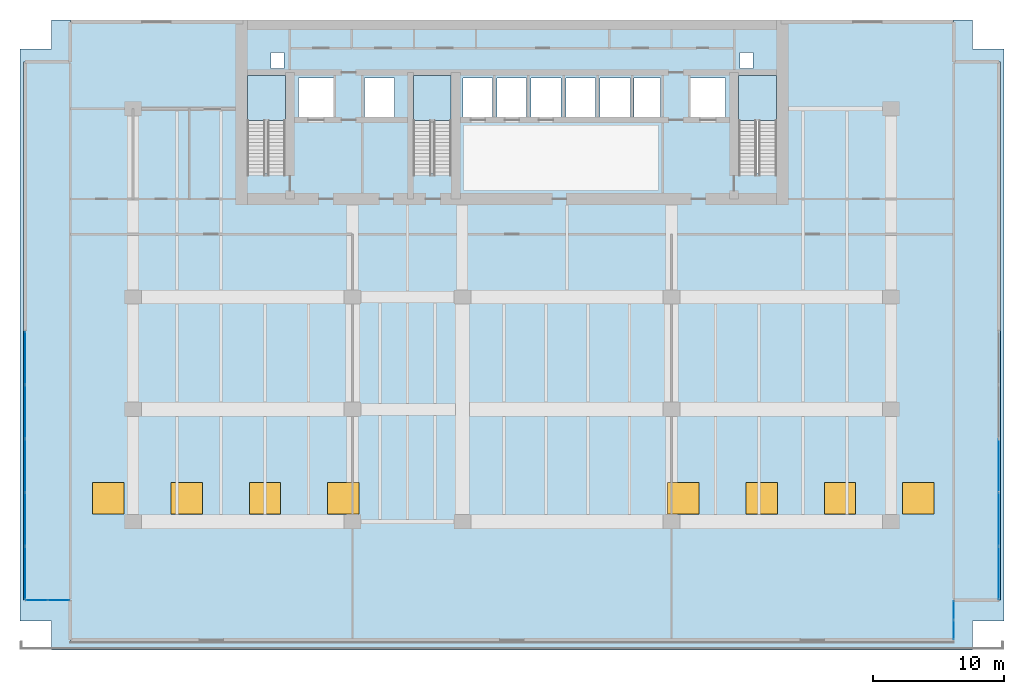
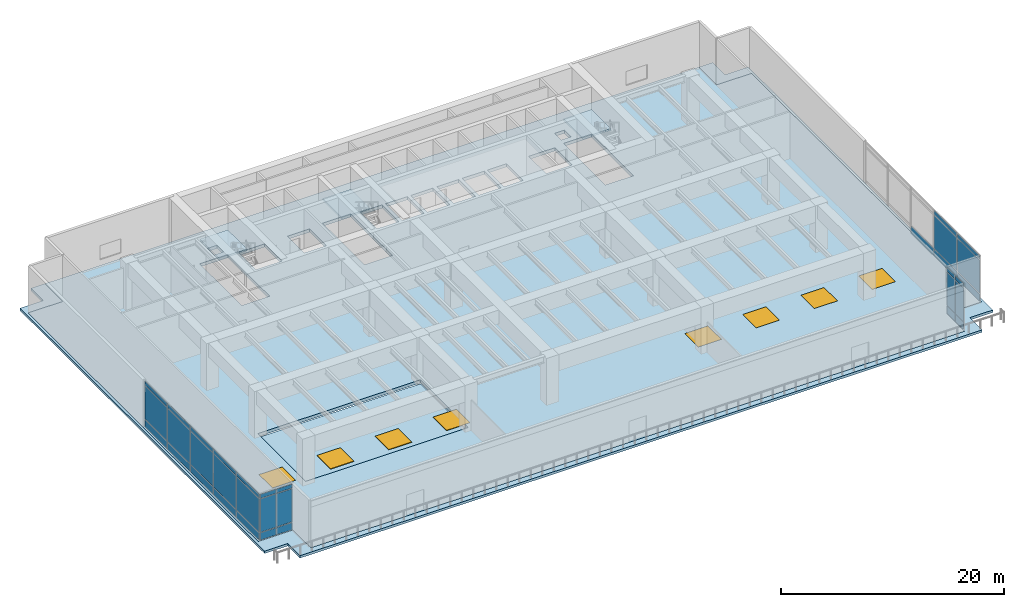
# One storey, part 5 of 12: 34 plates, 8 windows, 6 slabs, 8 openings, 7 elements without a shape of their own.
"""IFC4 building model written with IfcOpenShell, lengths in metres."""

from ifc_helpers import new_model, si_unit, direction, frame, origin, origin_2d, place, context, subcontext, project, spatial, polyline, rectangle, outline, extrude, material, layer, layer_set, type_object, element, fill, aggregate, save


model = new_model("IFC4")

# Units and contexts
model_context = context("Model", 3, precision=1e-05, world=origin(), true_north=direction((0.0, 1.0)))
body_context = subcontext(model_context, "Body", "Model", "MODEL_VIEW")
ifc_project = project(units=[si_unit("LENGTHUNIT", "METRE"), si_unit("AREAUNIT", "SQUARE_METRE"), si_unit("VOLUMEUNIT", "CUBIC_METRE"), si_unit("PLANEANGLEUNIT", "RADIAN"), si_unit("MASSUNIT", "GRAM", prefix="KILO")], contexts=[model_context])

# Site, building, storey
site_placement = place(None, origin())
site = spatial("IfcSite", under=ifc_project, at=site_placement, CompositionType="ELEMENT")
building_placement = place(site_placement, origin())
building = spatial("IfcBuilding", under=site, at=building_placement, Name="Caelmar Bay Residences", CompositionType="ELEMENT")
storey_placement = place(building_placement, frame((0.0, 0.0, 24.60009765625)))
storey = spatial("IfcBuildingStorey", under=building, at=storey_placement, Name="L05", CompositionType="ELEMENT", Elevation=24.60009765625)

# Curtain wall, plates
ifc_material_1 = material(Name="Anodised bronze aluminium 6063-T6 and laminated glass", Category="aluminium")
ifc_layer_1 = layer(ifc_material_1, 0.179931640625)
ifc_layer_set_1 = layer_set([ifc_layer_1], Name="Anodised bronze aluminium 6063-T6 and laminated glass")
curtain_wall_type_1 = type_object("IfcCurtainWallType", Name="CW6-NTC", PredefinedType="NOTDEFINED", material=ifc_layer_set_1)
curtain_wall_1_placement = place(storey_placement, origin())
curtain_wall_1 = element("IfcCurtainWall", 1, at=curtain_wall_1_placement, inside=storey, type_object=curtain_wall_type_1, Name="CW6 curtain wall L05", PredefinedType="NOTDEFINED")
ifc_material_2 = material(Name="Bronze-tinted laminated low-E hurricane glass 28 mm", Category="glass")
ifc_layer_2 = layer(ifc_material_2, 0.028076171875)
ifc_layer_set_2 = layer_set([ifc_layer_2], Name="Bronze-tinted laminated low-E hurricane glass 28 mm")
plate_type_1 = type_object("IfcPlateType", Name="CWP-GLZ28", PredefinedType="CURTAIN_PANEL", material=ifc_layer_set_2)
plate_1_placement = place(storey_placement, frame((2.532470703125, 6.199951171875, 0.080078125), z_axis=(0.0, 0.0, 1.0), x_axis=(1.0, 0.0, 0.0)))
plate_1 = element("IfcPlate", 2, at=plate_1_placement, type_object=plate_type_1, Name="CW6 panel 1.1", PredefinedType="CURTAIN_PANEL", context=body_context, shape_type="SweptSolid", body=[
    extrude(rectangle(XDim=1.60498046875, YDim=0.028076171875, at=origin_2d()), origin(), (0.0, 0.0, 1.0), 0.780029296875),
])
plate_2_placement = place(storey_placement, frame((2.532470703125, 6.199951171875, 0.93994140625), z_axis=(0.0, 0.0, 1.0), x_axis=(1.0, 0.0, 0.0)))
plate_2 = element("IfcPlate", 3, at=plate_2_placement, type_object=plate_type_1, Name="CW6 panel 1.2", PredefinedType="CURTAIN_PANEL", context=body_context, shape_type="SweptSolid", body=[
    extrude(rectangle(XDim=1.60498046875, YDim=0.028076171875, at=origin_2d()), origin(), (0.0, 0.0, 1.0), 3.6201171875),
])
plate_3_placement = place(storey_placement, frame((2.532470703125, 6.199951171875, 4.64013671875), z_axis=(0.0, 0.0, 1.0), x_axis=(1.0, 0.0, 0.0)))
plate_3 = element("IfcPlate", 4, at=plate_3_placement, type_object=plate_type_1, Name="CW6 panel 1.3", PredefinedType="CURTAIN_PANEL", context=body_context, shape_type="SweptSolid", body=[
    extrude(rectangle(XDim=1.60498046875, YDim=0.028076171875, at=origin_2d()), origin(), (0.0, 0.0, 1.0), 0.429931640625),
])
plate_4_placement = place(storey_placement, frame((4.217529296875, 6.199951171875, 0.080078125), z_axis=(0.0, 0.0, 1.0), x_axis=(1.0, 0.0, 0.0)))
plate_4 = element("IfcPlate", 5, at=plate_4_placement, type_object=plate_type_1, Name="CW6 panel 2.1", PredefinedType="CURTAIN_PANEL", context=body_context, shape_type="SweptSolid", body=[
    extrude(rectangle(XDim=1.60498046875, YDim=0.028076171875, at=origin_2d()), origin(), (0.0, 0.0, 1.0), 0.780029296875),
])
plate_5_placement = place(storey_placement, frame((4.217529296875, 6.199951171875, 0.93994140625), z_axis=(0.0, 0.0, 1.0), x_axis=(1.0, 0.0, 0.0)))
plate_5 = element("IfcPlate", 6, at=plate_5_placement, type_object=plate_type_1, Name="CW6 panel 2.2", PredefinedType="CURTAIN_PANEL", context=body_context, shape_type="SweptSolid", body=[
    extrude(rectangle(XDim=1.60498046875, YDim=0.028076171875, at=origin_2d()), origin(), (0.0, 0.0, 1.0), 3.6201171875),
])
plate_6_placement = place(storey_placement, frame((4.217529296875, 6.199951171875, 4.64013671875), z_axis=(0.0, 0.0, 1.0), x_axis=(1.0, 0.0, 0.0)))
plate_6 = element("IfcPlate", 7, at=plate_6_placement, type_object=plate_type_1, Name="CW6 panel 2.3", PredefinedType="CURTAIN_PANEL", context=body_context, shape_type="SweptSolid", body=[
    extrude(rectangle(XDim=1.60498046875, YDim=0.028076171875, at=origin_2d()), origin(), (0.0, 0.0, 1.0), 0.429931640625),
])
aggregate(curtain_wall_1, [plate_1, plate_2, plate_3, plate_4, plate_5, plate_6])

curtain_wall_2_placement = place(storey_placement, origin())
curtain_wall_2 = element("IfcCurtainWall", 8, at=curtain_wall_2_placement, inside=storey, type_object=curtain_wall_type_1, Name="CW6 curtain wall L05", PredefinedType="NOTDEFINED")
plate_7_placement = place(storey_placement, frame((72.699951171875, 3.9326171875, 0.080078125), z_axis=(0.0, 0.0, 1.0), x_axis=(0.0, 1.0, 0.0)))
plate_7 = element("IfcPlate", 9, at=plate_7_placement, type_object=plate_type_1, Name="CW6 panel 1.1", PredefinedType="CURTAIN_PANEL", context=body_context, shape_type="SweptSolid", body=[
    extrude(rectangle(XDim=1.405029296875, YDim=0.028076171875, at=origin_2d()), origin(), (0.0, 0.0, 1.0), 0.780029296875),
])
plate_8_placement = place(storey_placement, frame((72.699951171875, 3.9326171875, 0.93994140625), z_axis=(0.0, 0.0, 1.0), x_axis=(0.0, 1.0, 0.0)))
plate_8 = element("IfcPlate", 10, at=plate_8_placement, type_object=plate_type_1, Name="CW6 panel 1.2", PredefinedType="CURTAIN_PANEL", context=body_context, shape_type="SweptSolid", body=[
    extrude(rectangle(XDim=1.405029296875, YDim=0.028076171875, at=origin_2d()), origin(), (0.0, 0.0, 1.0), 3.6201171875),
])
plate_9_placement = place(storey_placement, frame((72.699951171875, 3.9326171875, 4.64013671875), z_axis=(0.0, 0.0, 1.0), x_axis=(0.0, 1.0, 0.0)))
plate_9 = element("IfcPlate", 11, at=plate_9_placement, type_object=plate_type_1, Name="CW6 panel 1.3", PredefinedType="CURTAIN_PANEL", context=body_context, shape_type="SweptSolid", body=[
    extrude(rectangle(XDim=1.405029296875, YDim=0.028076171875, at=origin_2d()), origin(), (0.0, 0.0, 1.0), 0.429931640625),
])
plate_10_placement = place(storey_placement, frame((72.699951171875, 5.41748046875, 0.080078125), z_axis=(0.0, 0.0, 1.0), x_axis=(0.0, 1.0, 0.0)))
plate_10 = element("IfcPlate", 12, at=plate_10_placement, type_object=plate_type_1, Name="CW6 panel 2.1", PredefinedType="CURTAIN_PANEL", context=body_context, shape_type="SweptSolid", body=[
    extrude(rectangle(XDim=1.405029296875, YDim=0.028076171875, at=origin_2d()), origin(), (0.0, 0.0, 1.0), 0.780029296875),
])
plate_11_placement = place(storey_placement, frame((72.699951171875, 5.41748046875, 0.93994140625), z_axis=(0.0, 0.0, 1.0), x_axis=(0.0, 1.0, 0.0)))
plate_11 = element("IfcPlate", 13, at=plate_11_placement, type_object=plate_type_1, Name="CW6 panel 2.2", PredefinedType="CURTAIN_PANEL", context=body_context, shape_type="SweptSolid", body=[
    extrude(rectangle(XDim=1.405029296875, YDim=0.028076171875, at=origin_2d()), origin(), (0.0, 0.0, 1.0), 3.6201171875),
])
plate_12_placement = place(storey_placement, frame((72.699951171875, 5.41748046875, 4.64013671875), z_axis=(0.0, 0.0, 1.0), x_axis=(0.0, 1.0, 0.0)))
plate_12 = element("IfcPlate", 14, at=plate_12_placement, type_object=plate_type_1, Name="CW6 panel 2.3", PredefinedType="CURTAIN_PANEL", context=body_context, shape_type="SweptSolid", body=[
    extrude(rectangle(XDim=1.405029296875, YDim=0.028076171875, at=origin_2d()), origin(), (0.0, 0.0, 1.0), 0.429931640625),
])
aggregate(curtain_wall_2, [plate_7, plate_8, plate_9, plate_10, plate_11, plate_12])

ifc_layer_3 = layer(ifc_material_1, 0.179931640625)
ifc_layer_set_3 = layer_set([ifc_layer_3], Name="Anodised bronze aluminium 6063-T6 and laminated glass")
curtain_wall_type_2 = type_object("IfcCurtainWallType", Name="CW1-POD", PredefinedType="NOTDEFINED", material=ifc_layer_set_3)
curtain_wall_3_placement = place(storey_placement, origin())
curtain_wall_3 = element("IfcCurtainWall", 15, at=curtain_wall_3_placement, inside=storey, type_object=curtain_wall_type_2, Name="CW1 curtain wall L05", PredefinedType="NOTDEFINED")
ifc_material_3 = material(Name="Bronze-tinted laminated low-E hurricane glass 32 mm", Category="glass")
ifc_layer_4 = layer(ifc_material_3, 0.031982421875)
ifc_layer_set_4 = layer_set([ifc_layer_4], Name="Bronze-tinted laminated low-E hurricane glass 32 mm")
plate_type_2 = type_object("IfcPlateType", Name="CWP-GLZ32", PredefinedType="CURTAIN_PANEL", material=ifc_layer_set_4)
plate_13_placement = place(storey_placement, frame((1.64990234375, 8.280029296875, 0.080078125), z_axis=(0.0, 0.0, 1.0), x_axis=(0.0, 1.0, 0.0)))
plate_13 = element("IfcPlate", 16, at=plate_13_placement, type_object=plate_type_2, Name="CW1 panel 1.1", PredefinedType="CURTAIN_PANEL", context=body_context, shape_type="SweptSolid", body=[
    extrude(rectangle(XDim=4.0, YDim=0.031982421875, at=origin_2d()), origin(), (0.0, 0.0, 1.0), 0.780029296875),
])
plate_14_placement = place(storey_placement, frame((1.64990234375, 8.280029296875, 0.93994140625), z_axis=(0.0, 0.0, 1.0), x_axis=(0.0, 1.0, 0.0)))
plate_14 = element("IfcPlate", 17, at=plate_14_placement, type_object=plate_type_2, Name="CW1 panel 1.2", PredefinedType="CURTAIN_PANEL", context=body_context, shape_type="SweptSolid", body=[
    extrude(rectangle(XDim=4.0, YDim=0.031982421875, at=origin_2d()), origin(), (0.0, 0.0, 1.0), 3.6201171875),
])
plate_15_placement = place(storey_placement, frame((1.64990234375, 8.280029296875, 4.64013671875), z_axis=(0.0, 0.0, 1.0), x_axis=(0.0, 1.0, 0.0)))
plate_15 = element("IfcPlate", 18, at=plate_15_placement, type_object=plate_type_2, Name="CW1 panel 1.3", PredefinedType="CURTAIN_PANEL", context=body_context, shape_type="SweptSolid", body=[
    extrude(rectangle(XDim=4.0, YDim=0.031982421875, at=origin_2d()), origin(), (0.0, 0.0, 1.0), 0.429931640625),
])
plate_16_placement = place(storey_placement, frame((1.64990234375, 12.3798828125, 0.080078125), z_axis=(0.0, 0.0, 1.0), x_axis=(0.0, 1.0, 0.0)))
plate_16 = element("IfcPlate", 19, at=plate_16_placement, type_object=plate_type_2, Name="CW1 panel 2.1", PredefinedType="CURTAIN_PANEL", context=body_context, shape_type="SweptSolid", body=[
    extrude(rectangle(XDim=4.0400390625, YDim=0.031982421875, at=origin_2d()), origin(), (0.0, 0.0, 1.0), 0.780029296875),
])
plate_17_placement = place(storey_placement, frame((1.64990234375, 12.3798828125, 0.93994140625), z_axis=(0.0, 0.0, 1.0), x_axis=(0.0, 1.0, 0.0)))
plate_17 = element("IfcPlate", 20, at=plate_17_placement, type_object=plate_type_2, Name="CW1 panel 2.2", PredefinedType="CURTAIN_PANEL", context=body_context, shape_type="SweptSolid", body=[
    extrude(rectangle(XDim=4.0400390625, YDim=0.031982421875, at=origin_2d()), origin(), (0.0, 0.0, 1.0), 3.6201171875),
])
plate_18_placement = place(storey_placement, frame((1.64990234375, 12.3798828125, 4.64013671875), z_axis=(0.0, 0.0, 1.0), x_axis=(0.0, 1.0, 0.0)))
plate_18 = element("IfcPlate", 21, at=plate_18_placement, type_object=plate_type_2, Name="CW1 panel 2.3", PredefinedType="CURTAIN_PANEL", context=body_context, shape_type="SweptSolid", body=[
    extrude(rectangle(XDim=4.0400390625, YDim=0.031982421875, at=origin_2d()), origin(), (0.0, 0.0, 1.0), 0.429931640625),
])
plate_19_placement = place(storey_placement, frame((1.64990234375, 16.5, 0.080078125), z_axis=(0.0, 0.0, 1.0), x_axis=(0.0, 1.0, 0.0)))
plate_19 = element("IfcPlate", 22, at=plate_19_placement, type_object=plate_type_2, Name="CW1 panel 3.1", PredefinedType="CURTAIN_PANEL", context=body_context, shape_type="SweptSolid", body=[
    extrude(rectangle(XDim=4.0400390625, YDim=0.031982421875, at=origin_2d()), origin(), (0.0, 0.0, 1.0), 0.780029296875),
])
plate_20_placement = place(storey_placement, frame((1.64990234375, 16.5, 0.93994140625), z_axis=(0.0, 0.0, 1.0), x_axis=(0.0, 1.0, 0.0)))
plate_20 = element("IfcPlate", 23, at=plate_20_placement, type_object=plate_type_2, Name="CW1 panel 3.2", PredefinedType="CURTAIN_PANEL", context=body_context, shape_type="SweptSolid", body=[
    extrude(rectangle(XDim=4.0400390625, YDim=0.031982421875, at=origin_2d()), origin(), (0.0, 0.0, 1.0), 3.6201171875),
])
plate_21_placement = place(storey_placement, frame((1.64990234375, 16.5, 4.64013671875), z_axis=(0.0, 0.0, 1.0), x_axis=(0.0, 1.0, 0.0)))
plate_21 = element("IfcPlate", 24, at=plate_21_placement, type_object=plate_type_2, Name="CW1 panel 3.3", PredefinedType="CURTAIN_PANEL", context=body_context, shape_type="SweptSolid", body=[
    extrude(rectangle(XDim=4.0400390625, YDim=0.031982421875, at=origin_2d()), origin(), (0.0, 0.0, 1.0), 0.429931640625),
])
plate_22_placement = place(storey_placement, frame((1.64990234375, 20.6201171875, 0.080078125), z_axis=(0.0, 0.0, 1.0), x_axis=(0.0, 1.0, 0.0)))
plate_22 = element("IfcPlate", 25, at=plate_22_placement, type_object=plate_type_2, Name="CW1 panel 4.1", PredefinedType="CURTAIN_PANEL", context=body_context, shape_type="SweptSolid", body=[
    extrude(rectangle(XDim=4.0400390625, YDim=0.031982421875, at=origin_2d()), origin(), (0.0, 0.0, 1.0), 0.780029296875),
])
plate_23_placement = place(storey_placement, frame((1.64990234375, 20.6201171875, 0.93994140625), z_axis=(0.0, 0.0, 1.0), x_axis=(0.0, 1.0, 0.0)))
plate_23 = element("IfcPlate", 26, at=plate_23_placement, type_object=plate_type_2, Name="CW1 panel 4.2", PredefinedType="CURTAIN_PANEL", context=body_context, shape_type="SweptSolid", body=[
    extrude(rectangle(XDim=4.0400390625, YDim=0.031982421875, at=origin_2d()), origin(), (0.0, 0.0, 1.0), 3.6201171875),
])
plate_24_placement = place(storey_placement, frame((1.64990234375, 20.6201171875, 4.64013671875), z_axis=(0.0, 0.0, 1.0), x_axis=(0.0, 1.0, 0.0)))
plate_24 = element("IfcPlate", 27, at=plate_24_placement, type_object=plate_type_2, Name="CW1 panel 4.3", PredefinedType="CURTAIN_PANEL", context=body_context, shape_type="SweptSolid", body=[
    extrude(rectangle(XDim=4.0400390625, YDim=0.031982421875, at=origin_2d()), origin(), (0.0, 0.0, 1.0), 0.429931640625),
])
plate_25_placement = place(storey_placement, frame((1.64990234375, 24.719970703125, 0.080078125), z_axis=(0.0, 0.0, 1.0), x_axis=(0.0, 1.0, 0.0)))
plate_25 = element("IfcPlate", 28, at=plate_25_placement, type_object=plate_type_2, Name="CW1 panel 5.1", PredefinedType="CURTAIN_PANEL", context=body_context, shape_type="SweptSolid", body=[
    extrude(rectangle(XDim=4.0, YDim=0.031982421875, at=origin_2d()), origin(), (0.0, 0.0, 1.0), 0.780029296875),
])
plate_26_placement = place(storey_placement, frame((1.64990234375, 24.719970703125, 0.93994140625), z_axis=(0.0, 0.0, 1.0), x_axis=(0.0, 1.0, 0.0)))
plate_26 = element("IfcPlate", 29, at=plate_26_placement, type_object=plate_type_2, Name="CW1 panel 5.2", PredefinedType="CURTAIN_PANEL", context=body_context, shape_type="SweptSolid", body=[
    extrude(rectangle(XDim=4.0, YDim=0.031982421875, at=origin_2d()), origin(), (0.0, 0.0, 1.0), 3.6201171875),
])
plate_27_placement = place(storey_placement, frame((1.64990234375, 24.719970703125, 4.64013671875), z_axis=(0.0, 0.0, 1.0), x_axis=(0.0, 1.0, 0.0)))
plate_27 = element("IfcPlate", 30, at=plate_27_placement, type_object=plate_type_2, Name="CW1 panel 5.3", PredefinedType="CURTAIN_PANEL", context=body_context, shape_type="SweptSolid", body=[
    extrude(rectangle(XDim=4.0, YDim=0.031982421875, at=origin_2d()), origin(), (0.0, 0.0, 1.0), 0.429931640625),
])
aggregate(curtain_wall_3, [plate_13, plate_14, plate_15, plate_16, plate_17, plate_18, plate_19, plate_20, plate_21, plate_22, plate_23, plate_24, plate_25, plate_26, plate_27])

curtain_wall_4_placement = place(storey_placement, origin())
curtain_wall_4 = element("IfcCurtainWall", 31, at=curtain_wall_4_placement, inside=storey, type_object=curtain_wall_type_2, Name="CW1 curtain wall L05", PredefinedType="NOTDEFINED")
plate_28_placement = place(storey_placement, frame((76.14990234375, 16.5, 0.080078125), z_axis=(0.0, 0.0, 1.0), x_axis=(0.0, -1.0, 0.0)))
plate_28 = element("IfcPlate", 32, at=plate_28_placement, type_object=plate_type_2, Name="CW1 panel 3.1", PredefinedType="CURTAIN_PANEL", context=body_context, shape_type="SweptSolid", body=[
    extrude(rectangle(XDim=4.0400390625, YDim=0.031982421875, at=origin_2d()), origin(), (0.0, 0.0, 1.0), 0.780029296875),
])
plate_29_placement = place(storey_placement, frame((76.14990234375, 12.3798828125, 0.080078125), z_axis=(0.0, 0.0, 1.0), x_axis=(0.0, -1.0, 0.0)))
plate_29 = element("IfcPlate", 33, at=plate_29_placement, type_object=plate_type_2, Name="CW1 panel 4.1", PredefinedType="CURTAIN_PANEL", context=body_context, shape_type="SweptSolid", body=[
    extrude(rectangle(XDim=4.0400390625, YDim=0.031982421875, at=origin_2d()), origin(), (0.0, 0.0, 1.0), 0.780029296875),
])
plate_30_placement = place(storey_placement, frame((76.14990234375, 12.3798828125, 0.93994140625), z_axis=(0.0, 0.0, 1.0), x_axis=(0.0, -1.0, 0.0)))
plate_30 = element("IfcPlate", 34, at=plate_30_placement, type_object=plate_type_2, Name="CW1 panel 4.2", PredefinedType="CURTAIN_PANEL", context=body_context, shape_type="SweptSolid", body=[
    extrude(rectangle(XDim=4.0400390625, YDim=0.031982421875, at=origin_2d()), origin(), (0.0, 0.0, 1.0), 3.6201171875),
])
plate_31_placement = place(storey_placement, frame((76.14990234375, 12.3798828125, 4.64013671875), z_axis=(0.0, 0.0, 1.0), x_axis=(0.0, -1.0, 0.0)))
plate_31 = element("IfcPlate", 35, at=plate_31_placement, type_object=plate_type_2, Name="CW1 panel 4.3", PredefinedType="CURTAIN_PANEL", context=body_context, shape_type="SweptSolid", body=[
    extrude(rectangle(XDim=4.0400390625, YDim=0.031982421875, at=origin_2d()), origin(), (0.0, 0.0, 1.0), 0.429931640625),
])
plate_32_placement = place(storey_placement, frame((76.14990234375, 8.280029296875, 0.080078125), z_axis=(0.0, 0.0, 1.0), x_axis=(0.0, -1.0, 0.0)))
plate_32 = element("IfcPlate", 36, at=plate_32_placement, type_object=plate_type_2, Name="CW1 panel 5.1", PredefinedType="CURTAIN_PANEL", context=body_context, shape_type="SweptSolid", body=[
    extrude(rectangle(XDim=4.0, YDim=0.031982421875, at=origin_2d()), origin(), (0.0, 0.0, 1.0), 0.780029296875),
])
plate_33_placement = place(storey_placement, frame((76.14990234375, 8.280029296875, 0.93994140625), z_axis=(0.0, 0.0, 1.0), x_axis=(0.0, -1.0, 0.0)))
plate_33 = element("IfcPlate", 37, at=plate_33_placement, type_object=plate_type_2, Name="CW1 panel 5.2", PredefinedType="CURTAIN_PANEL", context=body_context, shape_type="SweptSolid", body=[
    extrude(rectangle(XDim=4.0, YDim=0.031982421875, at=origin_2d()), origin(), (0.0, 0.0, 1.0), 3.6201171875),
])
plate_34_placement = place(storey_placement, frame((76.14990234375, 8.280029296875, 4.64013671875), z_axis=(0.0, 0.0, 1.0), x_axis=(0.0, -1.0, 0.0)))
plate_34 = element("IfcPlate", 38, at=plate_34_placement, type_object=plate_type_2, Name="CW1 panel 5.3", PredefinedType="CURTAIN_PANEL", context=body_context, shape_type="SweptSolid", body=[
    extrude(rectangle(XDim=4.0, YDim=0.031982421875, at=origin_2d()), origin(), (0.0, 0.0, 1.0), 0.429931640625),
])
aggregate(curtain_wall_4, [plate_28, plate_29, plate_30, plate_31, plate_32, plate_33, plate_34])

# Stair, slab
ifc_material_4 = material(Name="Concrete f'c 40 MPa (6,000 psi)", Category="concrete")
stair_type = type_object("IfcStairType", Name="ST-TAL-170", PredefinedType="HALF_TURN_STAIR", material=ifc_material_4)
stair_1_placement = place(storey_placement, origin())
stair_1 = element("IfcStair", 39, at=stair_1_placement, inside=storey, type_object=stair_type, Name="L05 West Smokeproof Exit Stair ST1", PredefinedType="HALF_TURN_STAIR")
ifc_layer_5 = layer(ifc_material_4, 0.199951171875)
ifc_layer_set_5 = layer_set([ifc_layer_5], Name="Concrete f'c 40 MPa (6,000 psi)")
slab_type_1 = type_object("IfcSlabType", Name="SLB-LND-200", PredefinedType="LANDING", material=ifc_layer_set_5)
slab_1_placement = place(storey_placement, frame((0.0, 0.0, 2.5)))
slab_1 = element("IfcSlab", 40, at=slab_1_placement, type_object=slab_type_1, Name="ST1 landing 1", PredefinedType="LANDING", context=body_context, shape_type="SweptSolid", body=[
    extrude(outline(polyline([(21.550048828125, 42.89990234375), (21.550048828125, 46.35009765625), (18.64990234375, 46.35009765625), (18.64990234375, 42.89990234375), (21.550048828125, 42.89990234375)])), origin(), (0.0, 0.0, 1.0), 0.199951171875),
])
aggregate(stair_1, [slab_1])

stair_2_placement = place(storey_placement, origin())
stair_2 = element("IfcStair", 41, at=stair_2_placement, inside=storey, type_object=stair_type, Name="L05 East Smokeproof Exit Stair ST2", PredefinedType="HALF_TURN_STAIR")
slab_2_placement = place(storey_placement, frame((0.0, 0.0, 2.5)))
slab_2 = element("IfcSlab", 42, at=slab_2_placement, type_object=slab_type_1, Name="ST2 landing 1", PredefinedType="LANDING", context=body_context, shape_type="SweptSolid", body=[
    extrude(outline(polyline([(59.14990234375, 42.89990234375), (59.14990234375, 46.35009765625), (56.25, 46.35009765625), (56.25, 42.89990234375), (59.14990234375, 42.89990234375)])), origin(), (0.0, 0.0, 1.0), 0.199951171875),
])
aggregate(stair_2, [slab_2])

stair_3_placement = place(storey_placement, origin())
stair_3 = element("IfcStair", 43, at=stair_3_placement, inside=storey, type_object=stair_type, Name="L05 Central Smokeproof Exit Stair ST3", PredefinedType="HALF_TURN_STAIR")
slab_3_placement = place(storey_placement, frame((0.0, 0.0, 2.5)))
slab_3 = element("IfcSlab", 44, at=slab_3_placement, type_object=slab_type_1, Name="ST3 landing 1", PredefinedType="LANDING", context=body_context, shape_type="SweptSolid", body=[
    extrude(outline(polyline([(34.25, 42.89990234375), (34.25, 46.35009765625), (31.35009765625, 46.35009765625), (31.35009765625, 42.89990234375), (34.25, 42.89990234375)])), origin(), (0.0, 0.0, 1.0), 0.199951171875),
])
aggregate(stair_3, [slab_3])

# Slabs
ifc_layer_6 = layer(ifc_material_4, 0.320068359375)
ifc_layer_set_6 = layer_set([ifc_layer_6], Name="Concrete f'c 40 MPa (6,000 psi)")
slab_type_2 = type_object("IfcSlabType", Name="SLB-POOL-320", PredefinedType="FLOOR", material=ifc_layer_set_6)
slab_4_placement = place(storey_placement, frame((0.0, 0.0, -0.75)))
element("IfcSlab", 45, at=slab_4_placement, inside=storey, type_object=slab_type_2, Name="L05 Wellness Lap-Pool Structural Basin Slab", PredefinedType="FLOOR", context=body_context, shape_type="SweptSolid", body=[
    extrude(outline(polyline([(9.89990234375, 12.199951171875), (26.699951171875, 12.199951171875), (26.699951171875, 20.800048828125), (9.89990234375, 20.800048828125), (9.89990234375, 12.199951171875)])), origin(), (0.0, 0.0, 1.0), 0.31982421875),
])
ifc_layer_7 = layer(ifc_material_4, 0.260009765625)
ifc_layer_set_7 = layer_set([ifc_layer_7], Name="Concrete f'c 40 MPa (6,000 psi)")
slab_type_3 = type_object("IfcSlabType", Name="SLB-TER-260", PredefinedType="ROOF", material=ifc_layer_set_7)
slab_5_placement = place(storey_placement, frame((0.0, 0.0, -0.260009765625)))
element("IfcSlab", 46, at=slab_5_placement, inside=storey, type_object=slab_type_3, Name="L05 Exterior Stepped Terrace Roof Slab 1", PredefinedType="ROOF", context=body_context, shape_type="SweptSolid", body=[
    extrude(outline(polyline([(72.699951171875, 50.60009765625), (72.699951171875, 47.39990234375), (76.300048828125, 47.39990234375), (76.300048828125, 6.199951171875), (72.699951171875, 6.199951171875), (72.699951171875, 3.0), (5.10009765625, 3.0), (5.10009765625, 6.199951171875), (1.5, 6.199951171875), (1.5, 47.39990234375), (5.10009765625, 47.39990234375), (5.10009765625, 50.60009765625), (3.64990234375, 50.60009765625), (3.64990234375, 48.39990234375), (1.25, 48.39990234375), (1.25, 4.60009765625), (3.64990234375, 4.60009765625), (3.64990234375, 2.39990234375), (74.14990234375, 2.39990234375), (74.14990234375, 4.60009765625), (76.550048828125, 4.60009765625), (76.550048828125, 48.39990234375), (74.14990234375, 48.39990234375), (74.14990234375, 50.60009765625), (72.699951171875, 50.60009765625)])), origin(), (0.0, 0.0, 1.0), 0.260009765625),
])

# Slab, openings, windows
ifc_material_5 = material(Name="Concrete f'c 70 MPa (10,000 psi)", Category="concrete")
ifc_layer_8 = layer(ifc_material_5, 0.35009765625)
ifc_layer_set_8 = layer_set([ifc_layer_8], Name="Concrete f'c 70 MPa (10,000 psi)")
slab_type_4 = type_object("IfcSlabType", Name="SLB-XFR-350", PredefinedType="FLOOR", material=ifc_layer_set_8)
slab_6_placement = place(storey_placement, frame((0.0, 0.0, -0.35009765625)))
slab_6 = element("IfcSlab", 47, at=slab_6_placement, inside=storey, type_object=slab_type_4, Name="L05 Structural Floor Slab", PredefinedType="FLOOR", context=body_context, shape_type="SweptSolid", body=[
    extrude(outline(polyline([(5.10009765625, 3.0), (72.699951171875, 3.0), (72.699951171875, 6.199951171875), (76.300048828125, 6.199951171875), (76.300048828125, 47.39990234375), (72.699951171875, 47.39990234375), (72.699951171875, 50.60009765625), (5.10009765625, 50.60009765625), (5.10009765625, 47.39990234375), (1.5, 47.39990234375), (1.5, 6.199951171875), (5.10009765625, 6.199951171875), (5.10009765625, 3.0)]), holes=[polyline([(18.64990234375, 38.85009765625), (21.550048828125, 38.85009765625), (21.550048828125, 46.35009765625), (18.64990234375, 46.35009765625), (18.64990234375, 38.85009765625)]), polyline([(56.25, 38.85009765625), (59.14990234375, 38.85009765625), (59.14990234375, 46.35009765625), (56.25, 46.35009765625), (56.25, 38.85009765625)]), polyline([(31.35009765625, 38.85009765625), (34.25, 38.85009765625), (34.25, 46.35009765625), (31.35009765625, 46.35009765625), (31.35009765625, 38.85009765625)]), polyline([(22.550048828125, 43.050048828125), (25.25, 43.050048828125), (25.25, 46.14990234375), (22.550048828125, 46.14990234375), (22.550048828125, 43.050048828125)]), polyline([(52.550048828125, 43.050048828125), (55.25, 43.050048828125), (55.25, 46.14990234375), (52.550048828125, 46.14990234375), (52.550048828125, 43.050048828125)]), polyline([(35.14990234375, 43.14990234375), (37.39990234375, 43.14990234375), (37.39990234375, 46.14990234375), (35.14990234375, 46.14990234375), (35.14990234375, 43.14990234375)]), polyline([(37.75, 43.14990234375), (40.0, 43.14990234375), (40.0, 46.14990234375), (37.75, 46.14990234375), (37.75, 43.14990234375)]), polyline([(40.35009765625, 43.14990234375), (42.64990234375, 43.14990234375), (42.64990234375, 46.14990234375), (40.35009765625, 46.14990234375), (40.35009765625, 43.14990234375)]), polyline([(43.050048828125, 43.14990234375), (45.300048828125, 43.14990234375), (45.300048828125, 46.14990234375), (43.050048828125, 46.14990234375), (43.050048828125, 43.14990234375)]), polyline([(45.64990234375, 43.14990234375), (47.949951171875, 43.14990234375), (47.949951171875, 46.14990234375), (45.64990234375, 46.14990234375), (45.64990234375, 43.14990234375)]), polyline([(48.25, 43.14990234375), (50.25, 43.14990234375), (50.25, 46.14990234375), (48.25, 46.14990234375), (48.25, 43.14990234375)]), polyline([(27.60009765625, 43.14990234375), (29.89990234375, 43.14990234375), (29.89990234375, 46.14990234375), (27.60009765625, 46.14990234375), (27.60009765625, 43.14990234375)]), polyline([(9.89990234375, 12.199951171875), (26.699951171875, 12.199951171875), (26.699951171875, 20.800048828125), (9.89990234375, 20.800048828125), (9.89990234375, 12.199951171875)]), polyline([(20.449951171875, 46.89990234375), (21.449951171875, 46.89990234375), (21.449951171875, 48.10009765625), (20.449951171875, 48.10009765625), (20.449951171875, 46.89990234375)]), polyline([(56.35009765625, 46.89990234375), (57.35009765625, 46.89990234375), (57.35009765625, 48.10009765625), (56.35009765625, 48.10009765625), (56.35009765625, 46.89990234375)])]), origin(), (0.0, 0.0, 1.0), 0.35009765625),
])
opening_1_placement = place(slab_6_placement, frame((8.0, 14.0, 0.0)))
opening_1 = element("IfcOpeningElement", 48, at=opening_1_placement, cuts=slab_6, Name="Opening SK1", PredefinedType="OPENING", context=body_context, shape_type="SweptSolid", body=[
    extrude(rectangle(XDim=2.39990234375, YDim=2.39990234375, at=origin_2d()), origin(), (0.0, 0.0, 1.0), 0.35009765625),
])
opening_2_placement = place(slab_6_placement, frame((14.0, 14.0, 0.0)))
opening_2 = element("IfcOpeningElement", 49, at=opening_2_placement, cuts=slab_6, Name="Opening SK1", PredefinedType="OPENING", context=body_context, shape_type="SweptSolid", body=[
    extrude(rectangle(XDim=2.39990234375, YDim=2.39990234375, at=origin_2d()), origin(), (0.0, 0.0, 1.0), 0.35009765625),
])
opening_3_placement = place(slab_6_placement, frame((20.0, 14.0, 0.0)))
opening_3 = element("IfcOpeningElement", 50, at=opening_3_placement, cuts=slab_6, Name="Opening SK1", PredefinedType="OPENING", context=body_context, shape_type="SweptSolid", body=[
    extrude(rectangle(XDim=2.39990234375, YDim=2.39990234375, at=origin_2d()), origin(), (0.0, 0.0, 1.0), 0.35009765625),
])
opening_4_placement = place(slab_6_placement, frame((26.0, 14.0, 0.0)))
opening_4 = element("IfcOpeningElement", 51, at=opening_4_placement, cuts=slab_6, Name="Opening SK1", PredefinedType="OPENING", context=body_context, shape_type="SweptSolid", body=[
    extrude(rectangle(XDim=2.39990234375, YDim=2.39990234375, at=origin_2d()), origin(), (0.0, 0.0, 1.0), 0.35009765625),
])
opening_5_placement = place(slab_6_placement, frame((52.0, 14.0, 0.0)))
opening_5 = element("IfcOpeningElement", 52, at=opening_5_placement, cuts=slab_6, Name="Opening SK1", PredefinedType="OPENING", context=body_context, shape_type="SweptSolid", body=[
    extrude(rectangle(XDim=2.39990234375, YDim=2.39990234375, at=origin_2d()), origin(), (0.0, 0.0, 1.0), 0.35009765625),
])
opening_6_placement = place(slab_6_placement, frame((58.0, 14.0, 0.0)))
opening_6 = element("IfcOpeningElement", 53, at=opening_6_placement, cuts=slab_6, Name="Opening SK1", PredefinedType="OPENING", context=body_context, shape_type="SweptSolid", body=[
    extrude(rectangle(XDim=2.39990234375, YDim=2.39990234375, at=origin_2d()), origin(), (0.0, 0.0, 1.0), 0.35009765625),
])
opening_7_placement = place(slab_6_placement, frame((64.0, 14.0, 0.0)))
opening_7 = element("IfcOpeningElement", 54, at=opening_7_placement, cuts=slab_6, Name="Opening SK1", PredefinedType="OPENING", context=body_context, shape_type="SweptSolid", body=[
    extrude(rectangle(XDim=2.39990234375, YDim=2.39990234375, at=origin_2d()), origin(), (0.0, 0.0, 1.0), 0.35009765625),
])
opening_8_placement = place(slab_6_placement, frame((70.0, 14.0, 0.0)))
opening_8 = element("IfcOpeningElement", 55, at=opening_8_placement, cuts=slab_6, Name="Opening SK1", PredefinedType="OPENING", context=body_context, shape_type="SweptSolid", body=[
    extrude(rectangle(XDim=2.39990234375, YDim=2.39990234375, at=origin_2d()), origin(), (0.0, 0.0, 1.0), 0.35009765625),
])
ifc_material_6 = material(Name="Bronze aluminium frame with laminated low-E glass", Category="aluminium")
ifc_layer_9 = layer(ifc_material_6, 0.06005859375)
ifc_layer_set_9 = layer_set([ifc_layer_9], Name="Bronze aluminium frame with laminated low-E glass")
window_type = type_object("IfcWindowType", Name="SKY-POD-2400", PartitioningType="SINGLE_PANEL", PredefinedType="SKYLIGHT", material=ifc_layer_set_9)
window_1_placement = place(opening_1_placement, frame((0.0, 0.0, 0.300048828125)))
window_1 = element("IfcWindow", 56, at=window_1_placement, inside=storey, type_object=window_type, Name="Podium Wellness Rooflight 1", OverallHeight=2.39990234375, OverallWidth=2.39990234375, PartitioningType="SINGLE_PANEL", PredefinedType="SKYLIGHT", context=body_context, shape_type="SweptSolid", body=[
    extrude(rectangle(XDim=2.39990234375, YDim=2.39990234375, at=origin_2d()), origin(), (0.0, 0.0, 1.0), 0.050048828125),
])
fill(opening_1, window_1)
window_2_placement = place(opening_2_placement, frame((0.0, 0.0, 0.300048828125)))
window_2 = element("IfcWindow", 57, at=window_2_placement, inside=storey, type_object=window_type, Name="Podium Wellness Rooflight 2", OverallHeight=2.39990234375, OverallWidth=2.39990234375, PartitioningType="SINGLE_PANEL", PredefinedType="SKYLIGHT", context=body_context, shape_type="SweptSolid", body=[
    extrude(rectangle(XDim=2.39990234375, YDim=2.39990234375, at=origin_2d()), origin(), (0.0, 0.0, 1.0), 0.050048828125),
])
fill(opening_2, window_2)
window_3_placement = place(opening_3_placement, frame((0.0, 0.0, 0.300048828125)))
window_3 = element("IfcWindow", 58, at=window_3_placement, inside=storey, type_object=window_type, Name="Podium Wellness Rooflight 3", OverallHeight=2.39990234375, OverallWidth=2.39990234375, PartitioningType="SINGLE_PANEL", PredefinedType="SKYLIGHT", context=body_context, shape_type="SweptSolid", body=[
    extrude(rectangle(XDim=2.39990234375, YDim=2.39990234375, at=origin_2d()), origin(), (0.0, 0.0, 1.0), 0.050048828125),
])
fill(opening_3, window_3)
window_4_placement = place(opening_4_placement, frame((0.0, 0.0, 0.300048828125)))
window_4 = element("IfcWindow", 59, at=window_4_placement, inside=storey, type_object=window_type, Name="Podium Wellness Rooflight 4", OverallHeight=2.39990234375, OverallWidth=2.39990234375, PartitioningType="SINGLE_PANEL", PredefinedType="SKYLIGHT", context=body_context, shape_type="SweptSolid", body=[
    extrude(rectangle(XDim=2.39990234375, YDim=2.39990234375, at=origin_2d()), origin(), (0.0, 0.0, 1.0), 0.050048828125),
])
fill(opening_4, window_4)
window_5_placement = place(opening_5_placement, frame((0.0, 0.0, 0.300048828125)))
window_5 = element("IfcWindow", 60, at=window_5_placement, inside=storey, type_object=window_type, Name="Podium Wellness Rooflight 5", OverallHeight=2.39990234375, OverallWidth=2.39990234375, PartitioningType="SINGLE_PANEL", PredefinedType="SKYLIGHT", context=body_context, shape_type="SweptSolid", body=[
    extrude(rectangle(XDim=2.39990234375, YDim=2.39990234375, at=origin_2d()), origin(), (0.0, 0.0, 1.0), 0.050048828125),
])
fill(opening_5, window_5)
window_6_placement = place(opening_6_placement, frame((0.0, 0.0, 0.300048828125)))
window_6 = element("IfcWindow", 61, at=window_6_placement, inside=storey, type_object=window_type, Name="Podium Wellness Rooflight 6", OverallHeight=2.39990234375, OverallWidth=2.39990234375, PartitioningType="SINGLE_PANEL", PredefinedType="SKYLIGHT", context=body_context, shape_type="SweptSolid", body=[
    extrude(rectangle(XDim=2.39990234375, YDim=2.39990234375, at=origin_2d()), origin(), (0.0, 0.0, 1.0), 0.050048828125),
])
fill(opening_6, window_6)
window_7_placement = place(opening_7_placement, frame((0.0, 0.0, 0.300048828125)))
window_7 = element("IfcWindow", 62, at=window_7_placement, inside=storey, type_object=window_type, Name="Podium Wellness Rooflight 7", OverallHeight=2.39990234375, OverallWidth=2.39990234375, PartitioningType="SINGLE_PANEL", PredefinedType="SKYLIGHT", context=body_context, shape_type="SweptSolid", body=[
    extrude(rectangle(XDim=2.39990234375, YDim=2.39990234375, at=origin_2d()), origin(), (0.0, 0.0, 1.0), 0.050048828125),
])
fill(opening_7, window_7)
window_8_placement = place(opening_8_placement, frame((0.0, 0.0, 0.300048828125)))
window_8 = element("IfcWindow", 63, at=window_8_placement, inside=storey, type_object=window_type, Name="Podium Wellness Rooflight 8", OverallHeight=2.39990234375, OverallWidth=2.39990234375, PartitioningType="SINGLE_PANEL", PredefinedType="SKYLIGHT", context=body_context, shape_type="SweptSolid", body=[
    extrude(rectangle(XDim=2.39990234375, YDim=2.39990234375, at=origin_2d()), origin(), (0.0, 0.0, 1.0), 0.050048828125),
])
fill(opening_8, window_8)

save(model, "model.ifc")
